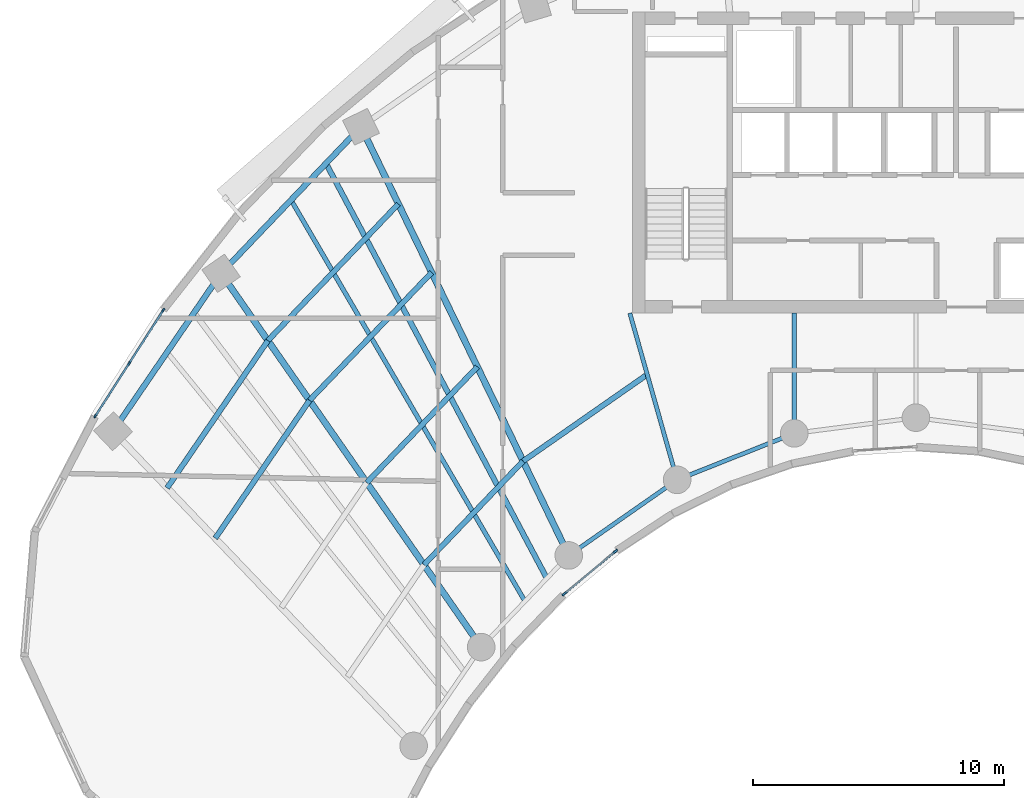
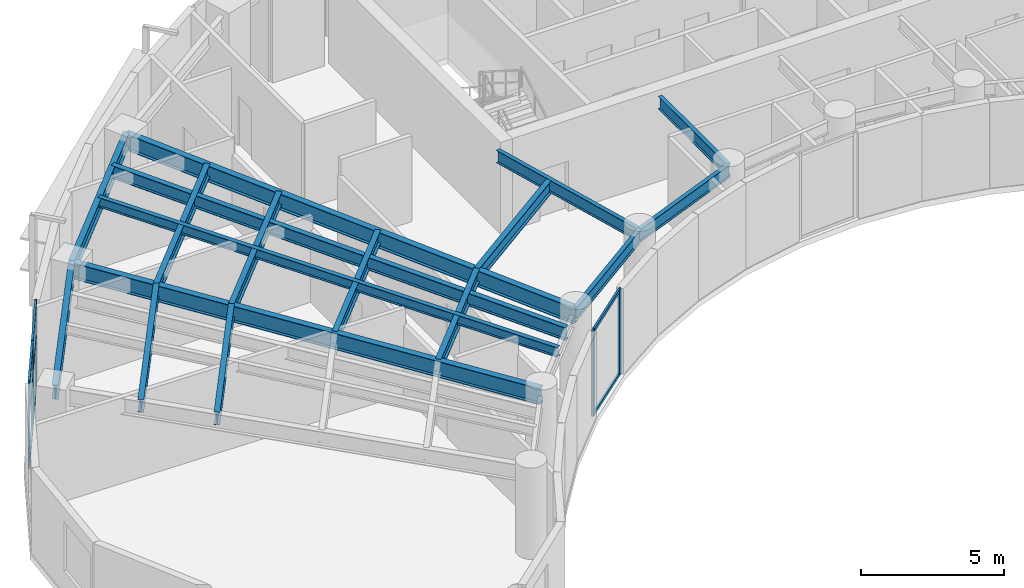
# One storey, part 2 of 13: 17 beams, 13 members, 2 elements without a shape of their own.
"""IFC4 building model written with IfcOpenShell, lengths in metres."""

from ifc_helpers import new_model, si_unit, direction, frame, origin, origin_2d, place, context, subcontext, project, spatial, rectangle, i_section, extrude, source, transform, mapped, material, layer, layer_set, material_profile, profile_set, type_object, type_shapes, element, aggregate, save


model = new_model("IFC4")

# Units and contexts
model_context = context("Model", 3, precision=1e-05, world=origin(), true_north=direction((0.0, 1.0)))
body_context = subcontext(model_context, "Body", "Model", "MODEL_VIEW")
ifc_project = project(units=[si_unit("LENGTHUNIT", "METRE"), si_unit("AREAUNIT", "SQUARE_METRE"), si_unit("VOLUMEUNIT", "CUBIC_METRE"), si_unit("PLANEANGLEUNIT", "RADIAN"), si_unit("MASSUNIT", "GRAM", prefix="KILO")], contexts=[model_context])

# Site, building, storey
site_placement = place(None, origin())
site = spatial("IfcSite", under=ifc_project, at=site_placement, CompositionType="ELEMENT")
building_placement = place(site_placement, origin())
building = spatial("IfcBuilding", under=site, at=building_placement, Name="Breltana Convention Tower", CompositionType="ELEMENT")
storey_placement = place(building_placement, frame((0.0, 0.0, 174.0)))
storey = spatial("IfcBuildingStorey", under=building, at=storey_placement, Name="L42", CompositionType="ELEMENT", Elevation=174.0)

# Beams
ifc_material_1 = material(Name="Steel ASTM A992 Grade 50", Category="steel")
ifc_material_profile_1 = material_profile(ifc_material_1, i_section(OverallWidth=0.179931640625, OverallDepth=0.4130859375, WebThickness=0.009765625, FlangeThickness=0.01611328125, at=origin_2d()), Name="W16X50")
ifc_profile_set_1 = profile_set([ifc_material_profile_1], Name="Steel ASTM A992 Grade 50")
beam_type_1 = type_object("IfcBeamType", Name="BM-JSG-08", PredefinedType="JOIST", material=ifc_profile_set_1)
shared_shape_1 = source(origin(), body_context, "Body", "SweptSolid", [
    extrude(i_section(OverallWidth=0.179931640625, OverallDepth=0.4130859375, WebThickness=0.009765625, FlangeThickness=0.01611328125, at=origin_2d()), origin(), (0.0, 0.0, 1.0), 18.50830078125),
])
beam_1_placement = place(storey_placement, frame((32.421630859375, 48.71875, 3.443603515625), z_axis=(-0.50368319637, 0.863888440537, 0.0), x_axis=(-0.863888440537, -0.50368319637, 0.0)))
element("IfcBeam", 1, at=beam_1_placement, inside=storey, type_object=beam_type_1, Name="L42 Mid-Bay Radial Trimmer 02", PredefinedType="JOIST", context=body_context, shape_type="MappedRepresentation", body=[
    mapped(shared_shape_1, transform((0.0, 0.0, 0.0), scale=1.0)),
])
ifc_material_profile_2 = material_profile(ifc_material_1, i_section(OverallWidth=0.214111328125, OverallDepth=0.549072265625, WebThickness=0.0146484375, FlangeThickness=0.023681640625, at=origin_2d()), Name="W21X93")
ifc_profile_set_2 = profile_set([ifc_material_profile_2], Name="Steel ASTM A992 Grade 50")
beam_type_2 = type_object("IfcBeamType", Name="BM-JSG-03", PredefinedType="JOIST", material=ifc_profile_set_2)
shared_shape_2 = source(origin(), body_context, "Body", "SweptSolid", [
    extrude(i_section(OverallWidth=0.214111328125, OverallDepth=0.549072265625, WebThickness=0.0146484375, FlangeThickness=0.023681640625, at=origin_2d()), origin(), (0.0, 0.0, 1.0), 18.731689453125),
])
beam_2_placement = place(storey_placement, frame((33.2939453125, 49.6318359375, 3.37548828125), z_axis=(-0.469820250451, 0.882762104004, 0.0), x_axis=(-0.882762104004, -0.469820250451, 0.0)))
element("IfcBeam", 2, at=beam_2_placement, inside=storey, type_object=beam_type_2, Name="L42 Quarter-Bay Radial Trimmer 02", PredefinedType="JOIST", context=body_context, shape_type="MappedRepresentation", body=[
    mapped(shared_shape_2, transform((0.0, 0.0, 0.0), scale=1.0)),
])
shared_shape_3 = source(origin(), body_context, "Body", "SweptSolid", [
    extrude(i_section(OverallWidth=0.214111328125, OverallDepth=0.549072265625, WebThickness=0.0146484375, FlangeThickness=0.023681640625, at=origin_2d()), origin(), (0.0, 0.0, 1.0), 6.654541015625),
])
beam_3_placement = place(storey_placement, frame((20.0791015625, 51.23095703125, 3.37548828125), z_axis=(0.564482668195, 0.82544492082, 0.0), x_axis=(-0.82544492082, 0.564482668195, 0.0)))
element("IfcBeam", 3, at=beam_3_placement, inside=storey, type_object=beam_type_2, Name="L42 Composite Floor Joist 01.3", PredefinedType="JOIST", context=body_context, shape_type="MappedRepresentation", body=[
    mapped(shared_shape_3, transform((0.0, 0.0, 0.0), scale=1.0)),
])
shared_shape_4 = source(origin(), body_context, "Body", "SweptSolid", [
    extrude(i_section(OverallWidth=0.214111328125, OverallDepth=0.549072265625, WebThickness=0.0146484375, FlangeThickness=0.023681640625, at=origin_2d()), origin(), (0.0, 0.0, 1.0), 7.111328125),
])
beam_4_placement = place(storey_placement, frame((18.162841796875, 53.2373046875, 3.37548828125), z_axis=(0.564446356178, 0.825469751715, 0.0), x_axis=(-0.825469751715, 0.564446356178, 0.0)))
element("IfcBeam", 4, at=beam_4_placement, inside=storey, type_object=beam_type_2, Name="L42 Composite Floor Joist 01.4", PredefinedType="JOIST", context=body_context, shape_type="MappedRepresentation", body=[
    mapped(shared_shape_4, transform((0.0, 0.0, 0.0), scale=1.0)),
])
shared_shape_5 = source(origin(), body_context, "Body", "SweptSolid", [
    extrude(i_section(OverallWidth=0.214111328125, OverallDepth=0.549072265625, WebThickness=0.0146484375, FlangeThickness=0.023681640625, at=origin_2d()), origin(), (0.0, 0.0, 1.0), 5.716064453125),
])
beam_5_placement = place(storey_placement, frame((28.396484375, 50.169677734375, 3.37548828125), z_axis=(0.690756060045, 0.723087868458, 0.0), x_axis=(-0.723087868458, 0.690756060045, 0.0)))
element("IfcBeam", 5, at=beam_5_placement, inside=storey, type_object=beam_type_2, Name="L42 Composite Floor Joist 02.1", PredefinedType="JOIST", context=body_context, shape_type="MappedRepresentation", body=[
    mapped(shared_shape_5, transform((0.0, 0.0, 0.0), scale=1.0)),
])
shared_shape_6 = source(origin(), body_context, "Body", "SweptSolid", [
    extrude(i_section(OverallWidth=0.214111328125, OverallDepth=0.549072265625, WebThickness=0.0146484375, FlangeThickness=0.023681640625, at=origin_2d()), origin(), (0.0, 0.0, 1.0), 6.381103515625),
])
beam_6_placement = place(storey_placement, frame((26.115966796875, 53.44677734375, 3.37548828125), z_axis=(0.690737768889, 0.723105341309, 0.0), x_axis=(-0.723105341309, 0.690737768889, 0.0)))
element("IfcBeam", 6, at=beam_6_placement, inside=storey, type_object=beam_type_2, Name="L42 Composite Floor Joist 02.2", PredefinedType="JOIST", context=body_context, shape_type="MappedRepresentation", body=[
    mapped(shared_shape_6, transform((0.0, 0.0, 0.0), scale=1.0)),
])
shared_shape_7 = source(origin(), body_context, "Body", "SweptSolid", [
    extrude(i_section(OverallWidth=0.214111328125, OverallDepth=0.549072265625, WebThickness=0.0146484375, FlangeThickness=0.023681640625, at=origin_2d()), origin(), (0.0, 0.0, 1.0), 7.046142578125),
])
beam_7_placement = place(storey_placement, frame((23.83544921875, 56.723876953125, 3.37548828125), z_axis=(0.690722929904, 0.723119515782, 0.0), x_axis=(-0.723119515782, 0.690722929904, 0.0)))
element("IfcBeam", 7, at=beam_7_placement, inside=storey, type_object=beam_type_2, Name="L42 Composite Floor Joist 02.3", PredefinedType="JOIST", context=body_context, shape_type="MappedRepresentation", body=[
    mapped(shared_shape_7, transform((0.0, 0.0, 0.0), scale=1.0)),
])
shared_shape_8 = source(origin(), body_context, "Body", "SweptSolid", [
    extrude(i_section(OverallWidth=0.214111328125, OverallDepth=0.549072265625, WebThickness=0.0146484375, FlangeThickness=0.023681640625, at=origin_2d()), origin(), (0.0, 0.0, 1.0), 7.529541015625),
])
beam_8_placement = place(storey_placement, frame((22.1767578125, 59.107421875, 3.37548828125), z_axis=(0.690725562031, 0.723117001568, 0.0), x_axis=(-0.723117001568, 0.690725562031, 0.0)))
element("IfcBeam", 8, at=beam_8_placement, inside=storey, type_object=beam_type_2, Name="L42 Composite Floor Joist 02.4", PredefinedType="JOIST", context=body_context, shape_type="MappedRepresentation", body=[
    mapped(shared_shape_8, transform((0.0, 0.0, 0.0), scale=1.0)),
])
shared_shape_9 = source(origin(), body_context, "Body", "SweptSolid", [
    extrude(i_section(OverallWidth=0.214111328125, OverallDepth=0.549072265625, WebThickness=0.0146484375, FlangeThickness=0.023681640625, at=origin_2d()), origin(), (0.0, 0.0, 1.0), 5.959228515625),
])
beam_9_placement = place(storey_placement, frame((32.344970703125, 54.302978515625, 3.37548828125), z_axis=(0.820160485262, 0.572133531979, 0.0), x_axis=(-0.572133531979, 0.820160485262, 0.0)))
element("IfcBeam", 9, at=beam_9_placement, inside=storey, type_object=beam_type_2, Name="L42 Composite Floor Joist 03.1", PredefinedType="JOIST", context=body_context, shape_type="MappedRepresentation", body=[
    mapped(shared_shape_9, transform((0.0, 0.0, 0.0), scale=1.0)),
])
ifc_material_profile_3 = material_profile(ifc_material_1, i_section(OverallWidth=0.25390625, OverallDepth=0.68798828125, WebThickness=0.01318359375, FlangeThickness=0.02099609375, at=origin_2d()), Name="W27X102")
ifc_profile_set_3 = profile_set([ifc_material_profile_3], Name="Steel ASTM A992 Grade 50")
beam_type_3 = type_object("IfcBeamType", Name="BM-RG-W27X102", PredefinedType="USERDEFINED", material=ifc_profile_set_3)
shared_shape_10 = source(origin(), body_context, "Body", "SweptSolid", [
    extrude(i_section(OverallWidth=0.25390625, OverallDepth=0.68798828125, WebThickness=0.01318359375, FlangeThickness=0.02099609375, at=origin_2d()), origin(), (0.0, 0.0, 1.0), 18.1484375),
])
beam_10_placement = place(storey_placement, frame((30.67724609375, 46.892333984375, 3.305908203125), z_axis=(-0.571207556098, 0.820805657788, 0.0), x_axis=(-0.820805657788, -0.571207556098, 0.0)))
element("IfcBeam", 10, at=beam_10_placement, inside=storey, type_object=beam_type_3, Name="L42 Radial Floor Girder R02", ObjectType="GIRDER", PredefinedType="USERDEFINED", context=body_context, shape_type="MappedRepresentation", body=[
    mapped(shared_shape_10, transform((0.0, 0.0, 0.0), scale=1.0)),
])
shared_shape_11 = source(origin(), body_context, "Body", "SweptSolid", [
    extrude(i_section(OverallWidth=0.25390625, OverallDepth=0.68798828125, WebThickness=0.01318359375, FlangeThickness=0.02099609375, at=origin_2d()), origin(), (0.0, 0.0, 1.0), 18.982421875),
])
beam_11_placement = place(storey_placement, frame((34.166259765625, 50.544921875, 3.305908203125), z_axis=(-0.436118560343, 0.89988921614, 0.0), x_axis=(-0.89988921614, -0.436118560343, 0.0)))
element("IfcBeam", 11, at=beam_11_placement, inside=storey, type_object=beam_type_3, Name="L42 Radial Floor Girder R03", ObjectType="GIRDER", PredefinedType="USERDEFINED", context=body_context, shape_type="MappedRepresentation", body=[
    mapped(shared_shape_11, transform((0.0, 0.0, 0.0), scale=1.0)),
])
ifc_material_profile_4 = material_profile(ifc_material_1, i_section(OverallWidth=0.166015625, OverallDepth=0.534912109375, WebThickness=0.01025390625, FlangeThickness=0.0166015625, at=origin_2d()), Name="W21X57")
ifc_profile_set_4 = profile_set([ifc_material_profile_4], Name="Steel ASTM A992 Grade 50")
beam_type_4 = type_object("IfcBeamType", Name="BM-BM-W21X57", PredefinedType="BEAM", material=ifc_profile_set_4)
shared_shape_12 = source(origin(), body_context, "Body", "SweptSolid", [
    extrude(i_section(OverallWidth=0.166015625, OverallDepth=0.534912109375, WebThickness=0.01025390625, FlangeThickness=0.0166015625, at=origin_2d()), origin(), (0.0, 0.0, 1.0), 6.904541015625),
])
type_shapes(beam_type_4, [shared_shape_12])
beam_12_placement = place(storey_placement, frame((36.60009765625, 60.199951171875, 3.382568359375), z_axis=(0.273006781054, -0.962012108811, 0.0), x_axis=(0.962012108811, 0.273006781054, 0.0)))
element("IfcBeam", 12, at=beam_12_placement, inside=storey, type_object=beam_type_4, Name="L42 South Core Tie Girder R04", PredefinedType="BEAM", context=body_context, shape_type="MappedRepresentation", body=[
    mapped(shared_shape_12, transform((0.0, 0.0, 0.0), scale=1.0)),
])
shared_shape_13 = source(origin(), body_context, "Body", "SweptSolid", [
    extrude(i_section(OverallWidth=0.166015625, OverallDepth=0.534912109375, WebThickness=0.01025390625, FlangeThickness=0.0166015625, at=origin_2d()), origin(), (0.0, 0.0, 1.0), 4.789306640625),
])
beam_13_placement = place(storey_placement, frame((43.153564453125, 60.199951171875, 3.382568359375), z_axis=(0.0, -1.0, 0.0), x_axis=(1.0, 0.0, 0.0)))
element("IfcBeam", 13, at=beam_13_placement, inside=storey, type_object=beam_type_4, Name="L42 South Core Tie Girder R05", PredefinedType="BEAM", context=body_context, shape_type="MappedRepresentation", body=[
    mapped(shared_shape_13, transform((0.0, 0.0, 0.0), scale=1.0)),
])
ifc_material_profile_5 = material_profile(ifc_material_1, i_section(OverallWidth=0.22802734375, OverallDepth=0.60791015625, WebThickness=0.01123046875, FlangeThickness=0.017333984375, at=origin_2d()), Name="W24X76")
ifc_profile_set_5 = profile_set([ifc_material_profile_5], Name="Steel ASTM A992 Grade 50")
beam_type_5 = type_object("IfcBeamType", Name="BM-SP-W24X76", PredefinedType="SPANDREL", material=ifc_profile_set_5)
shared_shape_14 = source(origin(), body_context, "Body", "SweptSolid", [
    extrude(i_section(OverallWidth=0.22802734375, OverallDepth=0.60791015625, WebThickness=0.01123046875, FlangeThickness=0.017333984375, at=origin_2d()), origin(), (0.0, 0.0, 1.0), 7.625),
])
type_shapes(beam_type_5, [shared_shape_14])
beam_14_placement = place(storey_placement, frame((16.0068359375, 55.494384765625, 3.345947265625), z_axis=(0.564452031902, 0.825465870694, 0.0), x_axis=(-0.825465870694, 0.564452031902, 0.0)))
element("IfcBeam", 14, at=beam_14_placement, inside=storey, type_object=beam_type_5, Name="L42 Outer Spandrel Beam 01", PredefinedType="SPANDREL", context=body_context, shape_type="MappedRepresentation", body=[
    mapped(shared_shape_14, transform((0.0, 0.0, 0.0), scale=1.0)),
])
shared_shape_15 = source(origin(), body_context, "Body", "SweptSolid", [
    extrude(i_section(OverallWidth=0.22802734375, OverallDepth=0.60791015625, WebThickness=0.01123046875, FlangeThickness=0.017333984375, at=origin_2d()), origin(), (0.0, 0.0, 1.0), 8.073974609375),
])
beam_15_placement = place(storey_placement, frame((20.310791015625, 61.78857421875, 3.345947265625), z_axis=(0.69072885448, 0.723113856588, 0.0), x_axis=(-0.723113856588, 0.69072885448, 0.0)))
element("IfcBeam", 15, at=beam_15_placement, inside=storey, type_object=beam_type_5, Name="L42 Outer Spandrel Beam 02", PredefinedType="SPANDREL", context=body_context, shape_type="MappedRepresentation", body=[
    mapped(shared_shape_15, transform((0.0, 0.0, 0.0), scale=1.0)),
])
shared_shape_16 = source(origin(), body_context, "Body", "SweptSolid", [
    extrude(i_section(OverallWidth=0.166015625, OverallDepth=0.534912109375, WebThickness=0.01025390625, FlangeThickness=0.0166015625, at=origin_2d()), origin(), (0.0, 0.0, 1.0), 5.265869140625),
])
beam_16_placement = place(storey_placement, frame((34.166259765625, 50.544921875, 3.382568359375), z_axis=(0.820167429517, 0.572123577176, 0.0), x_axis=(-0.572123577176, 0.820167429517, 0.0)))
element("IfcBeam", 16, at=beam_16_placement, inside=storey, type_object=beam_type_4, Name="L42 Inner Ring Beam 03", PredefinedType="BEAM", context=body_context, shape_type="MappedRepresentation", body=[
    mapped(shared_shape_16, transform((0.0, 0.0, 0.0), scale=1.0)),
])
shared_shape_17 = source(origin(), body_context, "Body", "SweptSolid", [
    extrude(i_section(OverallWidth=0.166015625, OverallDepth=0.534912109375, WebThickness=0.01025390625, FlangeThickness=0.0166015625, at=origin_2d()), origin(), (0.0, 0.0, 1.0), 5.022705078125),
])
beam_17_placement = place(storey_placement, frame((38.485107421875, 53.5576171875, 3.382568359375), z_axis=(0.929458966248, 0.368925507469, 0.0), x_axis=(-0.368925507469, 0.929458966248, 0.0)))
element("IfcBeam", 17, at=beam_17_placement, inside=storey, type_object=beam_type_4, Name="L42 Inner Ring Beam 04", PredefinedType="BEAM", context=body_context, shape_type="MappedRepresentation", body=[
    mapped(shared_shape_17, transform((0.0, 0.0, 0.0), scale=1.0)),
])

# Curtain wall, members
ifc_material_2 = material(Name="Aluminium Anodised Bronze Frame", Category="aluminium")
ifc_layer_1 = layer(ifc_material_2, 0.18994140625, Name="Aluminium Anodised Bronze Frame")
ifc_layer_set_1 = layer_set([ifc_layer_1], Name="Aluminium Anodised Bronze Frame")
curtain_wall_type_1 = type_object("IfcCurtainWallType", Name="CW-SYS-1", PredefinedType="NOTDEFINED", material=ifc_layer_set_1)
curtain_wall_1_placement = place(storey_placement, origin())
curtain_wall_1 = element("IfcCurtainWall", 18, at=curtain_wall_1_placement, inside=storey, type_object=curtain_wall_type_1, Name="L42 inner south-court glazing 5", PredefinedType="NOTDEFINED")
ifc_material_3 = material(Name="Aluminium Anodised Bronze", Category="aluminium")
ifc_material_profile_6 = material_profile(ifc_material_3, rectangle(XDim=0.080078125, YDim=0.199951171875, at=origin_2d()), Name="CWM-80X200")
ifc_profile_set_6 = profile_set([ifc_material_profile_6], Name="Aluminium Anodised Bronze")
member_type_1 = type_object("IfcMemberType", Name="CWM-200", PredefinedType="MULLION", material=ifc_profile_set_6)
shared_shape_18 = source(origin(), body_context, "Body", "SweptSolid", [
    extrude(rectangle(XDim=0.080078125, YDim=0.199951171875, at=origin_2d()), origin(), (0.0, 0.0, 1.0), 3.64990234375),
])
member_1_placement = place(storey_placement, frame((36.024658203125, 50.709228515625, 0.0), z_axis=(0.0, 0.0, 1.0), x_axis=(0.640537495741, -0.767926895316, 0.0)))
member_1 = element("IfcMember", 19, at=member_1_placement, type_object=member_type_1, Name="CW-01 mullion 1", PredefinedType="MULLION", context=body_context, shape_type="MappedRepresentation", body=[
    mapped(shared_shape_18, transform((0.0, 0.0, 0.0), scale=1.0)),
])
member_2_placement = place(storey_placement, frame((33.989990234375, 49.01220703125, 0.0), z_axis=(0.0, 0.0, 1.0), x_axis=(0.640537495741, -0.767926895316, 0.0)))
member_2 = element("IfcMember", 20, at=member_2_placement, type_object=member_type_1, Name="CW-01 mullion 2", PredefinedType="MULLION", context=body_context, shape_type="MappedRepresentation", body=[
    mapped(shared_shape_18, transform((0.0, 0.0, 0.0), scale=1.0)),
])

ifc_layer_2 = layer(ifc_material_2, 0.2099609375, Name="Aluminium Anodised Bronze Frame")
ifc_layer_set_2 = layer_set([ifc_layer_2], Name="Aluminium Anodised Bronze Frame")
curtain_wall_type_2 = type_object("IfcCurtainWallType", Name="CW-SYS-3", PredefinedType="NOTDEFINED", material=ifc_layer_set_2)
curtain_wall_2_placement = place(storey_placement, origin())
curtain_wall_2 = element("IfcCurtainWall", 21, at=curtain_wall_2_placement, inside=storey, type_object=curtain_wall_type_2, Name="L42 outer double-skin inner glazing 1", PredefinedType="NOTDEFINED")
ifc_material_profile_7 = material_profile(ifc_material_3, rectangle(XDim=0.070068359375, YDim=0.175048828125, at=origin_2d()), Name="CWM-70X175")
ifc_profile_set_7 = profile_set([ifc_material_profile_7], Name="Aluminium Anodised Bronze")
member_type_2 = type_object("IfcMemberType", Name="CWM-175", PredefinedType="MULLION", material=ifc_profile_set_7)
shared_shape_19 = source(origin(), body_context, "Body", "SweptSolid", [
    extrude(rectangle(XDim=0.070068359375, YDim=0.175048828125, at=origin_2d()), origin(), (0.0, 0.0, 1.0), 3.64990234375),
])
member_3_placement = place(storey_placement, frame((15.304443359375, 56.10498046875, 0.0), z_axis=(0.0, 0.0, 1.0), x_axis=(-0.841554203529, 0.54017267843, 0.0)))
member_3 = element("IfcMember", 22, at=member_3_placement, type_object=member_type_2, Name="CW-03 mullion 1", PredefinedType="MULLION", context=body_context, shape_type="MappedRepresentation", body=[
    mapped(shared_shape_19, transform((0.0, 0.0, 0.0), scale=1.0)),
])
member_4_placement = place(storey_placement, frame((16.6533203125, 58.20654296875, 0.0), z_axis=(0.0, 0.0, 1.0), x_axis=(-0.841554203529, 0.54017267843, 0.0)))
member_4 = element("IfcMember", 23, at=member_4_placement, type_object=member_type_2, Name="CW-03 mullion 2", PredefinedType="MULLION", context=body_context, shape_type="MappedRepresentation", body=[
    mapped(shared_shape_19, transform((0.0, 0.0, 0.0), scale=1.0)),
])
member_5_placement = place(storey_placement, frame((18.00244140625, 60.308349609375, 0.0), z_axis=(0.0, 0.0, 1.0), x_axis=(-0.841554203529, 0.54017267843, 0.0)))
member_5 = element("IfcMember", 24, at=member_5_placement, type_object=member_type_2, Name="CW-03 mullion 3", PredefinedType="MULLION", context=body_context, shape_type="MappedRepresentation", body=[
    mapped(shared_shape_19, transform((0.0, 0.0, 0.0), scale=1.0)),
])

# Member
ifc_material_profile_8 = material_profile(ifc_material_3, rectangle(XDim=0.080078125, YDim=0.139892578125, at=origin_2d()), Name="CWT-80X140")
ifc_profile_set_8 = profile_set([ifc_material_profile_8], Name="Aluminium Anodised Bronze")
member_type_3 = type_object("IfcMemberType", Name="CWT-140", PredefinedType="USERDEFINED", material=ifc_profile_set_8)
shared_shape_20 = source(origin(), body_context, "Body", "SweptSolid", [
    extrude(rectangle(XDim=0.080078125, YDim=0.139892578125, at=origin_2d()), origin(), (0.0, 0.0, 1.0), 2.5693359375),
])
member_6_placement = place(storey_placement, frame((35.993896484375, 50.68359375, 0.0400390625), z_axis=(-0.767940822982, -0.640520797788, 0.0), x_axis=(0.640520797788, -0.767940822982, 0.0)))
member_6 = element("IfcMember", 25, at=member_6_placement, type_object=member_type_3, Name="CW-01 transom 1.1", ObjectType="TRANSOM", PredefinedType="USERDEFINED", context=body_context, shape_type="MappedRepresentation", body=[
    mapped(shared_shape_20, transform((0.0, 0.0, 0.0), scale=1.0)),
])

member_7_placement = place(storey_placement, frame((35.993896484375, 50.68359375, 3.610107421875), z_axis=(-0.767940822982, -0.640520797788, 0.0), x_axis=(0.640520797788, -0.767940822982, 0.0)))
member_7 = element("IfcMember", 26, at=member_7_placement, type_object=member_type_3, Name="CW-01 transom 1.2", ObjectType="TRANSOM", PredefinedType="USERDEFINED", context=body_context, shape_type="MappedRepresentation", body=[
    mapped(shared_shape_20, transform((0.0, 0.0, 0.0), scale=1.0)),
])

aggregate(curtain_wall_1, [member_1, member_2, member_6, member_7])

shared_shape_21 = source(origin(), body_context, "Body", "SweptSolid", [
    extrude(rectangle(XDim=0.080078125, YDim=0.139892578125, at=origin_2d()), origin(), (0.0, 0.0, 1.0), 2.427490234375),
])
member_8_placement = place(storey_placement, frame((15.3232421875, 56.134521484375, 0.0400390625), z_axis=(0.540203388332, 0.841534490817, 0.0), x_axis=(-0.841534490817, 0.540203388332, 0.0)))
member_8 = element("IfcMember", 27, at=member_8_placement, type_object=member_type_3, Name="CW-03 transom 1.1", ObjectType="TRANSOM", PredefinedType="USERDEFINED", context=body_context, shape_type="MappedRepresentation", body=[
    mapped(shared_shape_21, transform((0.0, 0.0, 0.0), scale=1.0)),
])

member_9_placement = place(storey_placement, frame((15.3232421875, 56.134521484375, 2.37255859375), z_axis=(0.540203388332, 0.841534490817, 0.0), x_axis=(-0.841534490817, 0.540203388332, 0.0)))
member_9 = element("IfcMember", 28, at=member_9_placement, type_object=member_type_3, Name="CW-03 transom 1.2", ObjectType="TRANSOM", PredefinedType="USERDEFINED", context=body_context, shape_type="MappedRepresentation", body=[
    mapped(shared_shape_21, transform((0.0, 0.0, 0.0), scale=1.0)),
])

member_10_placement = place(storey_placement, frame((15.3232421875, 56.134521484375, 3.610107421875), z_axis=(0.540203388332, 0.841534490817, 0.0), x_axis=(-0.841534490817, 0.540203388332, 0.0)))
member_10 = element("IfcMember", 29, at=member_10_placement, type_object=member_type_3, Name="CW-03 transom 1.3", ObjectType="TRANSOM", PredefinedType="USERDEFINED", context=body_context, shape_type="MappedRepresentation", body=[
    mapped(shared_shape_21, transform((0.0, 0.0, 0.0), scale=1.0)),
])

shared_shape_22 = source(origin(), body_context, "Body", "SweptSolid", [
    extrude(rectangle(XDim=0.080078125, YDim=0.139892578125, at=origin_2d()), origin(), (0.0, 0.0, 1.0), 2.42724609375),
])
member_11_placement = place(storey_placement, frame((16.67236328125, 58.236083984375, 0.0400390625), z_axis=(0.540132155308, 0.841580212934, 0.0), x_axis=(-0.841580212934, 0.540132155308, 0.0)))
member_11 = element("IfcMember", 30, at=member_11_placement, type_object=member_type_3, Name="CW-03 transom 2.1", ObjectType="TRANSOM", PredefinedType="USERDEFINED", context=body_context, shape_type="MappedRepresentation", body=[
    mapped(shared_shape_22, transform((0.0, 0.0, 0.0), scale=1.0)),
])

member_12_placement = place(storey_placement, frame((16.67236328125, 58.236083984375, 2.37255859375), z_axis=(0.540132155308, 0.841580212934, 0.0), x_axis=(-0.841580212934, 0.540132155308, 0.0)))
member_12 = element("IfcMember", 31, at=member_12_placement, type_object=member_type_3, Name="CW-03 transom 2.2", ObjectType="TRANSOM", PredefinedType="USERDEFINED", context=body_context, shape_type="MappedRepresentation", body=[
    mapped(shared_shape_22, transform((0.0, 0.0, 0.0), scale=1.0)),
])

member_13_placement = place(storey_placement, frame((16.67236328125, 58.236083984375, 3.610107421875), z_axis=(0.540132155308, 0.841580212934, 0.0), x_axis=(-0.841580212934, 0.540132155308, 0.0)))
member_13 = element("IfcMember", 32, at=member_13_placement, type_object=member_type_3, Name="CW-03 transom 2.3", ObjectType="TRANSOM", PredefinedType="USERDEFINED", context=body_context, shape_type="MappedRepresentation", body=[
    mapped(shared_shape_22, transform((0.0, 0.0, 0.0), scale=1.0)),
])

aggregate(curtain_wall_2, [member_3, member_4, member_5, member_8, member_9, member_10, member_11, member_12, member_13])

save(model, "model.ifc")
